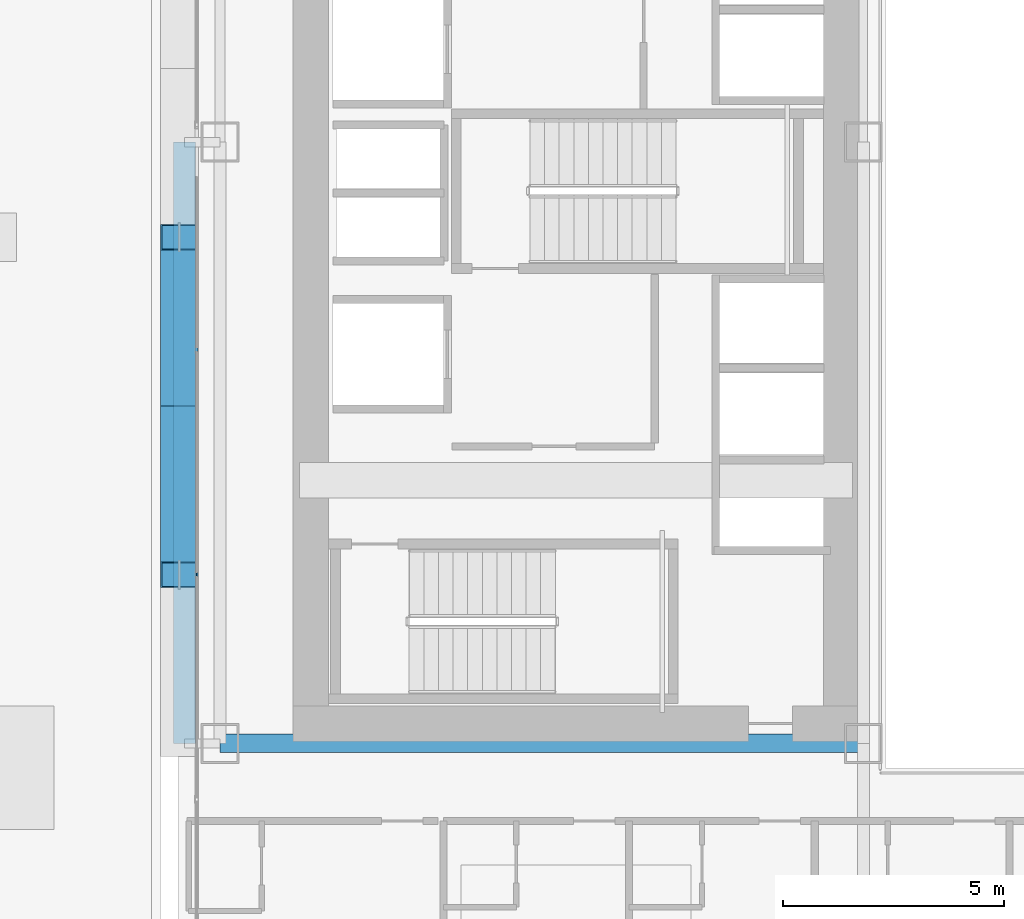
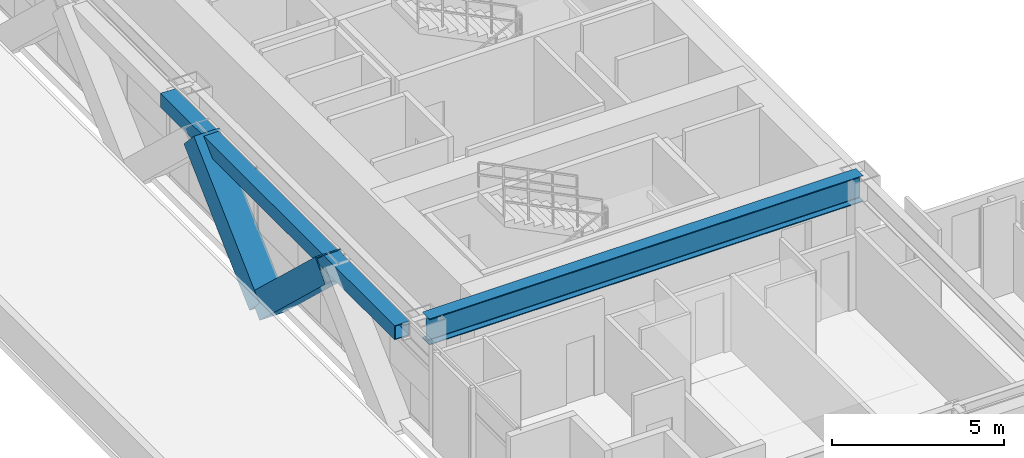
# One storey, part 5 of 35: 2 beams, 2 members.
"""IFC4 building model written with IfcOpenShell, lengths in metres."""

from ifc_helpers import new_model, si_unit, direction, frame, origin, origin_2d, place, context, subcontext, project, spatial, hollow_rectangle, i_section, extrude, source, transform, mapped, material, material_profile, profile_set, type_object, element, save


model = new_model("IFC4")

# Units and contexts
model_context = context("Model", 3, precision=1e-05, world=origin(), true_north=direction((0.0, 1.0)))
body_context = subcontext(model_context, "Body", "Model", "MODEL_VIEW")
ifc_project = project(units=[si_unit("LENGTHUNIT", "METRE"), si_unit("AREAUNIT", "SQUARE_METRE"), si_unit("VOLUMEUNIT", "CUBIC_METRE"), si_unit("PLANEANGLEUNIT", "RADIAN"), si_unit("MASSUNIT", "GRAM", prefix="KILO")], contexts=[model_context])

# Site, building, storey
site_placement = place(None, origin())
site = spatial("IfcSite", under=ifc_project, at=site_placement, CompositionType="ELEMENT")
building_placement = place(site_placement, origin())
building = spatial("IfcBuilding", under=site, at=building_placement, Name="Ocotamira Hotel", CompositionType="ELEMENT")
storey_placement = place(building_placement, frame((0.0, 0.0, 34.800048828125)))
storey = spatial("IfcBuildingStorey", under=building, at=storey_placement, Name="L07", CompositionType="ELEMENT", Elevation=34.800048828125)

# Beams
ifc_material_1 = material(Name="Steel ASTM A992 Grade 50", Category="steel")
ifc_material_profile_1 = material_profile(ifc_material_1, i_section(OverallWidth=0.41796875, OverallDepth=0.927001953125, WebThickness=0.019287109375, FlangeThickness=0.031982421875, FilletRadius=0.02392578125, at=origin_2d()), Name="W36X231")
ifc_profile_set_1 = profile_set([ifc_material_profile_1], Name="Steel ASTM A992 Grade 50")
beam_type_1 = type_object("IfcBeamType", Name="BM-GIRD-W36X231", PredefinedType="BEAM", material=ifc_profile_set_1)
shared_shape_1 = source(origin(), body_context, "Body", "SweptSolid", [
    extrude(i_section(OverallWidth=0.41796875, OverallDepth=0.927001953125, WebThickness=0.019287109375, FlangeThickness=0.031982421875, FilletRadius=0.02392578125, at=origin_2d()), origin(), (0.0, 0.0, 1.0), 14.550048828125),
])
beam_1_placement = place(storey_placement, frame((8.949951171875, 14.550048828125, 2.886474609375), z_axis=(1.0, 0.0, 0.0), x_axis=(0.0, 1.0, 0.0)))
element("IfcBeam", 1, at=beam_1_placement, inside=storey, type_object=beam_type_1, Name="L07 Girder Y14.55 X8.95-23.5", PredefinedType="BEAM", context=body_context, shape_type="MappedRepresentation", body=[
    mapped(shared_shape_1, transform((0.0, 0.0, 0.0), scale=1.0)),
])
ifc_material_2 = material(Name="Steel ASTM A500 Grade C", Category="steel")
ifc_material_profile_2 = material_profile(ifc_material_2, hollow_rectangle(XDim=0.5, YDim=0.5, WallThickness=0.02001953125, at=origin_2d()), Name="HSS500X500X20")
ifc_profile_set_2 = profile_set([ifc_material_profile_2], Name="Steel ASTM A500 Grade C")
beam_type_2 = type_object("IfcBeamType", Name="BM-SPAN-HSS500", PredefinedType="USERDEFINED", material=ifc_profile_set_2)
shared_shape_2 = source(origin(), body_context, "Body", "SweptSolid", [
    extrude(hollow_rectangle(XDim=0.5, YDim=0.5, WallThickness=0.02001953125, at=origin_2d()), origin(), (0.0, 0.0, 1.0), 13.599853515625),
])
beam_2_placement = place(storey_placement, frame((8.14990234375, 14.550048828125, 3.099853515625), z_axis=(0.0, 1.0, 0.0), x_axis=(-1.0, 0.0, 0.0)))
element("IfcBeam", 2, at=beam_2_placement, inside=storey, type_object=beam_type_2, Name="L07 Edge Spandrel W Y14.55-28.15", ObjectType="SPANDREL", PredefinedType="USERDEFINED", context=body_context, shape_type="MappedRepresentation", body=[
    mapped(shared_shape_2, transform((0.0, 0.0, 0.0), scale=1.0)),
])

# Members
ifc_material_3 = material(Name="Pale-metal coated steel ASTM A913 Grade 65", Category="steel")
ifc_material_profile_3 = material_profile(ifc_material_3, hollow_rectangle(XDim=0.85009765625, YDim=0.85009765625, WallThickness=0.035888671875, at=origin_2d()), Name="BOX850X850X36")
ifc_profile_set_3 = profile_set([ifc_material_profile_3], Name="Pale-metal coated steel ASTM A913 Grade 65")
member_type = type_object("IfcMemberType", Name="MEM-EXO-BOX850", PredefinedType="BRACE", material=ifc_profile_set_3)
shared_shape_3 = source(origin(), body_context, "Body", "SweptSolid", [
    extrude(hollow_rectangle(XDim=0.85009765625, YDim=0.85009765625, WallThickness=0.035888671875, at=origin_2d()), origin(), (0.0, 0.0, 1.0), 5.24658203125),
])
for number, where, z_axis, x_axis, name in (
    (3, (8.030029296875, 22.183349609375, -0.5), (0.0, -0.72746596067, 0.686143772154), (1.0, 0.0, 0.0), "L07 Exoskeleton Diagrid W0.2"),
    (4, (8.030029296875, 22.183349609375, -0.5), (0.0, 0.72746596067, 0.686143772154), (-1.0, 0.0, 0.0), "L07 Exoskeleton Diagrid W1.1"),
):
    element("IfcMember", number, at=place(storey_placement, frame(where, z_axis=z_axis, x_axis=x_axis)), inside=storey, type_object=member_type, Name=name, PredefinedType="BRACE", context=body_context, shape_type="MappedRepresentation", body=[
        mapped(shared_shape_3, transform((0.0, 0.0, 0.0), scale=1.0)),
    ])

save(model, "model.ifc")
